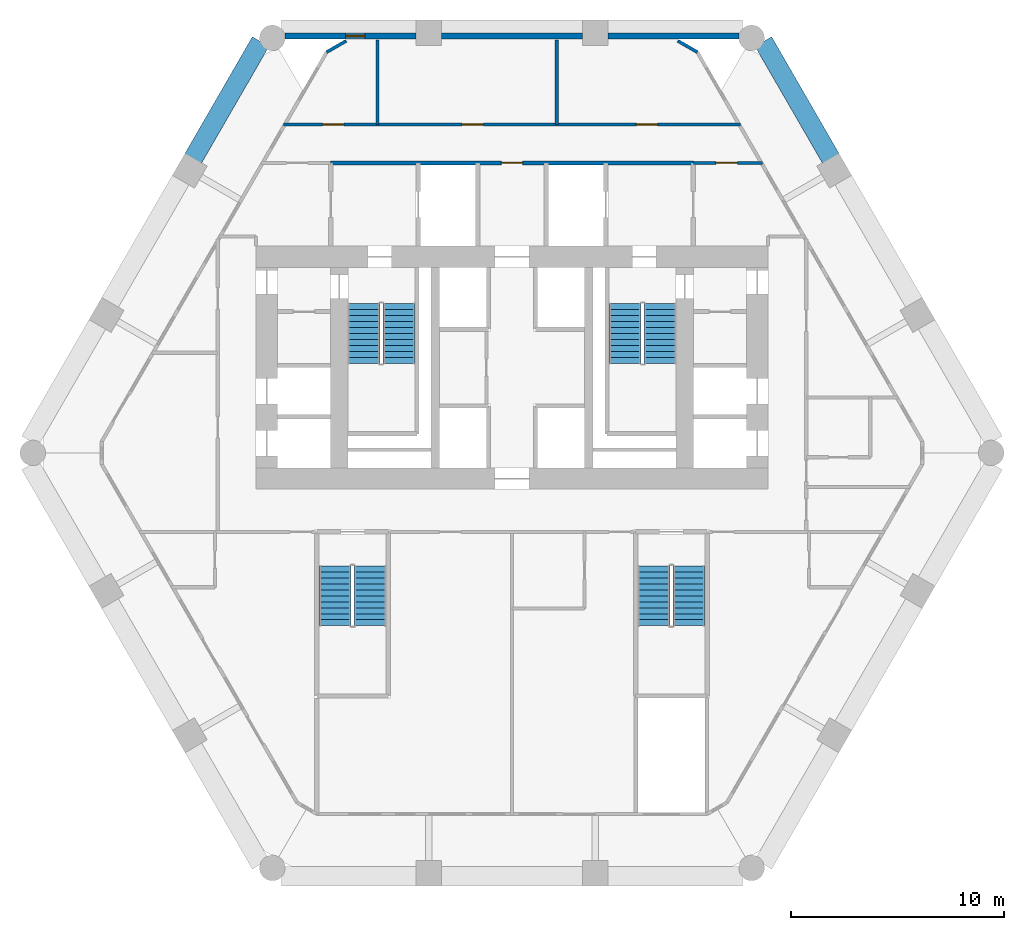
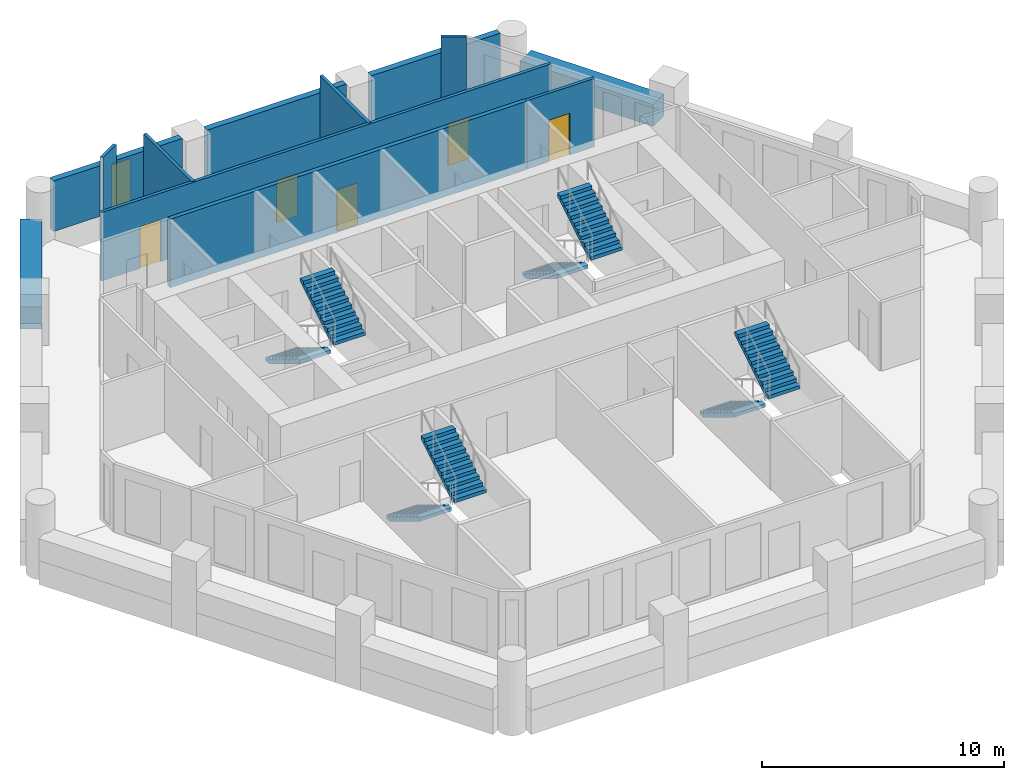
# One storey, part 6 of 7: 12 walls, 8 stair flights, 5 doors, 1 window, 6 openings, 4 elements without a shape of their own.
"""IFC4 building model written with IfcOpenShell, lengths in metres."""

from ifc_helpers import new_model, si_unit, direction, frame, frame_2d, origin, place, context, subcontext, project, spatial, polyline, rectangle, outline, extrude, material, layer, layer_set, type_object, element, fill, aggregate, save


model = new_model("IFC4")

# Units and contexts
model_context = context("Model", 3, precision=1e-05, world=origin(), true_north=direction((0.0, 1.0)))
body_context = subcontext(model_context, "Body", "Model", "MODEL_VIEW")
ifc_project = project(units=[si_unit("LENGTHUNIT", "METRE"), si_unit("AREAUNIT", "SQUARE_METRE"), si_unit("VOLUMEUNIT", "CUBIC_METRE"), si_unit("PLANEANGLEUNIT", "RADIAN"), si_unit("MASSUNIT", "GRAM", prefix="KILO")], contexts=[model_context])

# Site, building, storey
site_placement = place(None, origin())
site = spatial("IfcSite", under=ifc_project, at=site_placement, CompositionType="ELEMENT")
building_placement = place(site_placement, origin())
building = spatial("IfcBuilding", under=site, at=building_placement, Name="Ostrander Bayou Hotel Tower", CompositionType="ELEMENT")
storey_placement = place(building_placement, frame((0.0, 0.0, 89.25)))
storey = spatial("IfcBuildingStorey", under=building, at=storey_placement, Name="L22", CompositionType="ELEMENT", Elevation=89.25)

# Walls
ifc_material_1 = material(Name="Aluminium framed insulated wall", Category="aluminium")
ifc_layer_1 = layer(ifc_material_1, 0.14990234375)
ifc_layer_set_1 = layer_set([ifc_layer_1], Name="GW1 glass-line wall 150 mm")
wall_type_1 = type_object("IfcWallType", Name="GW1 glass-line wall 150 mm", PredefinedType="SOLIDWALL", material=ifc_layer_set_1)
for number, where, z_axis, x_axis, name in (
    (1, (-7.77099609375, 19.324951171875, 0.0), (0.0, 0.0, 1.0), (-0.866105447774, -0.499861334108, 0.0), "GW1 L22 corner 1"),
    (2, (8.693603515625, 18.79248046875, 0.0), (0.0, 0.0, 1.0), (-0.866105447774, 0.499861334108, 0.0), "GW1 L22 corner 6"),
):
    element("IfcWall", number, at=place(storey_placement, frame(where, z_axis=z_axis, x_axis=x_axis)), inside=storey, type_object=wall_type_1, Name=name, PredefinedType="SOLIDWALL", context=body_context, shape_type="SweptSolid", body=[
        extrude(rectangle(XDim=1.065185546875, YDim=0.14990234375, at=frame_2d((0.53271484375, 0.0))), origin(), (0.0, 0.0, 1.0), 3.449951171875),
    ])
ifc_material_2 = material(Name="Reconstituted stone on masonry backing", Category="masonry")
ifc_layer_2 = layer(ifc_material_2, 0.300048828125)
ifc_layer_set_2 = layer_set([ifc_layer_2], Name="NW1 north stone wall 300 mm")
wall_type_2 = type_object("IfcWallType", Name="NW1 north stone wall 300 mm", PredefinedType="SOLIDWALL", material=ifc_layer_set_2)
wall_1_placement = place(storey_placement, frame((10.6435546875, 19.550048828125, 0.0), z_axis=(0.0, 0.0, 1.0), x_axis=(-1.0, 0.0, 0.0)))
element("IfcWall", 3, at=wall_1_placement, inside=storey, type_object=wall_type_2, Name="NW1 L22 N-1", PredefinedType="SOLIDWALL", context=body_context, shape_type="SweptSolid", body=[
    extrude(rectangle(XDim=6.136962890625, YDim=0.300048828125, at=frame_2d((3.068359375, 0.0))), origin(), (0.0, 0.0, 1.0), 2.550048828125),
])
wall_2_placement = place(storey_placement, frame((3.306640625, 19.550048828125, 0.0), z_axis=(0.0, 0.0, 1.0), x_axis=(-1.0, 0.0, 0.0)))
element("IfcWall", 4, at=wall_2_placement, inside=storey, type_object=wall_type_2, Name="NW1 L22 N-2", PredefinedType="SOLIDWALL", context=body_context, shape_type="SweptSolid", body=[
    extrude(rectangle(XDim=6.61328125, YDim=0.300048828125, at=frame_2d((3.306640625, 0.0))), origin(), (0.0, 0.0, 1.0), 2.550048828125),
])

# Wall, opening, window
wall_3_placement = place(storey_placement, frame((-4.506591796875, 19.550048828125, 0.0), z_axis=(0.0, 0.0, 1.0), x_axis=(-1.0, 0.0, 0.0)))
wall_3 = element("IfcWall", 5, at=wall_3_placement, inside=storey, type_object=wall_type_2, Name="NW1 L22 N-3", PredefinedType="SOLIDWALL", context=body_context, shape_type="SweptSolid", body=[
    extrude(rectangle(XDim=6.136962890625, YDim=0.300048828125, at=frame_2d((3.068359375, 0.0))), origin(), (0.0, 0.0, 1.0), 2.550048828125),
])
opening_1_placement = place(wall_3_placement, frame((2.393310546875, 0.0, 0.14990234375)))
opening_1 = element("IfcOpeningElement", 6, at=opening_1_placement, cuts=wall_3, Name="Opening W16", PredefinedType="OPENING", context=body_context, shape_type="SweptSolid", body=[
    extrude(rectangle(XDim=0.89990234375, YDim=2.14990234375, at=frame_2d((0.449951171875, 1.074951171875))), frame((0.0, 0.14990234375, 0.0), z_axis=(0.0, -1.0, 0.0), x_axis=(1.0, 0.0, 0.0)), (0.0, 0.0, 1.0), 0.300048828125),
])
ifc_material_3 = material(Name="Aluminium and clear glass", Category="aluminium")
window_type = type_object("IfcWindowType", Name="W16 window 900 mm, zone 2", PartitioningType="SINGLE_PANEL", PredefinedType="WINDOW", material=ifc_material_3)
window_placement = place(opening_1_placement, origin())
window = element("IfcWindow", 7, at=window_placement, inside=storey, type_object=window_type, Name="W16 L22 north N-3", OverallHeight=2.14990234375, OverallWidth=0.89990234375, PartitioningType="SINGLE_PANEL", PredefinedType="WINDOW", context=body_context, shape_type="SweptSolid", body=[
    extrude(rectangle(XDim=0.89990234375, YDim=2.14990234375, at=frame_2d((0.449951171875, 1.074951171875))), frame((0.0, 0.030029296875, 0.0), z_axis=(0.0, -1.0, 0.0), x_axis=(1.0, 0.0, 0.0)), (0.0, 0.0, 1.0), 0.06005859375),
])
fill(opening_1, window)

# Walls
ifc_material_4 = material(Name="Concrete f'c 40 MPa", Category="concrete")
ifc_layer_3 = layer(ifc_material_4, 0.89990234375)
ifc_layer_set_3 = layer_set([ifc_layer_3], Name="PA1 stone-faced parapet 900 mm")
wall_type_3 = type_object("IfcWallType", Name="PA1 stone-faced parapet 900 mm", PredefinedType="PARAPET", material=ifc_layer_set_3)
for number, where, z_axis, x_axis, name in (
    (8, (-11.785888671875, 19.286376953125, 0.0), (0.0, 0.0, 1.0), (-0.499982754166, -0.866035360443, 0.0), "PA1 L22 NW-1"),
    (9, (14.9521484375, 13.802001953125, 0.0), (0.0, 0.0, 1.0), (-0.499982754166, 0.866035360443, 0.0), "PA1 L22 NE-3"),
):
    element("IfcWall", number, at=place(storey_placement, frame(where, z_axis=z_axis, x_axis=x_axis)), inside=storey, type_object=wall_type_3, Name=name, PredefinedType="PARAPET", context=body_context, shape_type="SweptSolid", body=[
        extrude(rectangle(XDim=6.332763671875, YDim=0.89990234375, at=frame_2d((3.16650390625, 0.0))), origin(), (0.0, 0.0, 1.0), 1.10009765625),
    ])

# Wall, opening, door
ifc_material_5 = material(Name="Masonry block", Category="masonry")
ifc_layer_4 = layer(ifc_material_5, 0.199951171875)
ifc_layer_set_4 = layer_set([ifc_layer_4], Name="PT5 stair enclosure wall 200 mm masonry, 2 hour")
wall_type_4 = type_object("IfcWallType", Name="PT5 stair enclosure wall 200 mm masonry, 2 hour", PredefinedType="PARTITIONING", material=ifc_layer_set_4)
wall_4_placement = place(storey_placement, frame((-8.5, 13.60009765625, 0.0), z_axis=(0.0, 0.0, 1.0), x_axis=(1.0, 0.0, 0.0)))
wall_4 = element("IfcWall", 10, at=wall_4_placement, inside=storey, type_object=wall_type_4, Name="cs:L22:025", PredefinedType="PARTITIONING", context=body_context, shape_type="SweptSolid", body=[
    extrude(rectangle(XDim=17.0, YDim=0.199951171875, at=frame_2d((8.5, 0.0))), origin(), (0.0, 0.0, 1.0), 3.449951171875),
])
opening_2_placement = place(wall_4_placement, frame((8.0, 0.0, 0.0)))
opening_2 = element("IfcOpeningElement", 11, at=opening_2_placement, cuts=wall_4, Name="Opening T21-013", PredefinedType="OPENING", context=body_context, shape_type="SweptSolid", body=[
    extrude(rectangle(XDim=1.0, YDim=2.10009765625, at=frame_2d((0.5, 1.050048828125))), frame((0.0, 0.10009765625, 0.0), z_axis=(0.0, -1.0, 0.0), x_axis=(1.0, 0.0, 0.0)), (0.0, 0.0, 1.0), 0.199951171875),
])
ifc_material_6 = material(Name="Timber door leaf", Category="wood")
door_type_1 = type_object("IfcDoorType", Name="D9 service door 1000 x 2100 mm, 30 minute", OperationType="SINGLE_SWING_LEFT", PredefinedType="DOOR", material=ifc_material_6)
door_1_placement = place(opening_2_placement, origin())
door_1 = element("IfcDoor", 12, at=door_1_placement, inside=storey, type_object=door_type_1, Name="dr:L22:013", OperationType="SINGLE_SWING_LEFT", OverallHeight=2.10009765625, OverallWidth=1.0, PredefinedType="DOOR", context=body_context, shape_type="SweptSolid", body=[
    extrude(rectangle(XDim=1.0, YDim=2.10009765625, at=frame_2d((0.5, 1.050048828125))), frame((0.0, 0.02490234375, 0.0), z_axis=(0.0, -1.0, 0.0), x_axis=(1.0, 0.0, 0.0)), (0.0, 0.0, 1.0), 0.050048828125),
])
fill(opening_2, door_1)

ifc_material_7 = material(Name="Gypsum board partition", Category="finish")
ifc_layer_5 = layer(ifc_material_7, 0.14990234375)
ifc_layer_set_5 = layer_set([ifc_layer_5], Name="PT8 service band wall 150 mm, 1 hour")
wall_type_5 = type_object("IfcWallType", Name="PT8 service band wall 150 mm, 1 hour", PredefinedType="PARTITIONING", material=ifc_layer_set_5)
wall_5_placement = place(storey_placement, frame((8.510009765625, 13.60009765625, 0.0), z_axis=(0.0, 0.0, 1.0), x_axis=(1.0, 0.0, 0.0)))
wall_5 = element("IfcWall", 13, at=wall_5_placement, inside=storey, type_object=wall_type_5, Name="gw:L22:014", PredefinedType="PARTITIONING", context=body_context, shape_type="SweptSolid", body=[
    extrude(rectangle(XDim=3.23291015625, YDim=0.14990234375, at=frame_2d((1.616455078125, 0.0))), origin(), (0.0, 0.0, 1.0), 3.449951171875),
])
opening_3_placement = place(wall_5_placement, frame((1.054931640625, 0.0, 0.0)))
opening_3 = element("IfcOpeningElement", 14, at=opening_3_placement, cuts=wall_5, Name="Opening T21-417", PredefinedType="OPENING", context=body_context, shape_type="SweptSolid", body=[
    extrude(rectangle(XDim=1.0, YDim=2.10009765625, at=frame_2d((0.5, 1.050048828125))), frame((0.0, 0.074951171875, 0.0), z_axis=(0.0, -1.0, 0.0), x_axis=(1.0, 0.0, 0.0)), (0.0, 0.0, 1.0), 0.14990234375),
])
door_2_placement = place(opening_3_placement, origin())
door_2 = element("IfcDoor", 15, at=door_2_placement, inside=storey, type_object=door_type_1, Name="dr:L22:417", OperationType="SINGLE_SWING_LEFT", OverallHeight=2.10009765625, OverallWidth=1.0, PredefinedType="DOOR", context=body_context, shape_type="SweptSolid", body=[
    extrude(rectangle(XDim=1.0, YDim=2.10009765625, at=frame_2d((0.5, 1.050048828125))), frame((0.0, 0.02490234375, 0.0), z_axis=(0.0, -1.0, 0.0), x_axis=(1.0, 0.0, 0.0)), (0.0, 0.0, 1.0), 0.050048828125),
])
fill(opening_3, door_2)

# Wall, openings, doors
wall_6_placement = place(storey_placement, frame((-10.7041015625, 15.39990234375, 0.0), z_axis=(0.0, 0.0, 1.0), x_axis=(1.0, 0.0, 0.0)))
wall_6 = element("IfcWall", 16, at=wall_6_placement, inside=storey, type_object=wall_type_5, Name="gw:L22:015", PredefinedType="PARTITIONING", context=body_context, shape_type="SweptSolid", body=[
    extrude(rectangle(XDim=21.408203125, YDim=0.14990234375, at=frame_2d((10.7041015625, 0.0))), origin(), (0.0, 0.0, 1.0), 3.449951171875),
])
opening_4_placement = place(wall_6_placement, frame((1.824951171875, 0.0, 0.0)))
opening_4 = element("IfcOpeningElement", 17, at=opening_4_placement, cuts=wall_6, Name="Opening T21-413", PredefinedType="OPENING", context=body_context, shape_type="SweptSolid", body=[
    extrude(rectangle(XDim=1.0, YDim=2.10009765625, at=frame_2d((0.5, 1.050048828125))), frame((0.0, 0.074951171875, 0.0), z_axis=(0.0, -1.0, 0.0), x_axis=(1.0, 0.0, 0.0)), (0.0, 0.0, 1.0), 0.14990234375),
])
opening_5_placement = place(wall_6_placement, frame((8.362060546875, 0.0, 0.0)))
opening_5 = element("IfcOpeningElement", 18, at=opening_5_placement, cuts=wall_6, Name="Opening T21-414", PredefinedType="OPENING", context=body_context, shape_type="SweptSolid", body=[
    extrude(rectangle(XDim=1.0, YDim=2.10009765625, at=frame_2d((0.5, 1.050048828125))), frame((0.0, 0.074951171875, 0.0), z_axis=(0.0, -1.0, 0.0), x_axis=(1.0, 0.0, 0.0)), (0.0, 0.0, 1.0), 0.14990234375),
])
opening_6_placement = place(wall_6_placement, frame((16.535888671875, 0.0, 0.0)))
opening_6 = element("IfcOpeningElement", 19, at=opening_6_placement, cuts=wall_6, Name="Opening T21-415", PredefinedType="OPENING", context=body_context, shape_type="SweptSolid", body=[
    extrude(rectangle(XDim=1.0, YDim=2.10009765625, at=frame_2d((0.5, 1.050048828125))), frame((0.0, 0.074951171875, 0.0), z_axis=(0.0, -1.0, 0.0), x_axis=(1.0, 0.0, 0.0)), (0.0, 0.0, 1.0), 0.14990234375),
])
ifc_material_8 = material(Name="Timber door leaf", Category="wood")
door_type_2 = type_object("IfcDoorType", Name="D15 room door 1000 x 2100 mm", OperationType="SINGLE_SWING_LEFT", PredefinedType="DOOR", material=ifc_material_8)
door_3_placement = place(opening_4_placement, origin())
door_3 = element("IfcDoor", 20, at=door_3_placement, inside=storey, type_object=door_type_2, Name="dr:L22:413", OperationType="SINGLE_SWING_LEFT", OverallHeight=2.10009765625, OverallWidth=1.0, PredefinedType="DOOR", context=body_context, shape_type="SweptSolid", body=[
    extrude(rectangle(XDim=1.0, YDim=2.10009765625, at=frame_2d((0.5, 1.050048828125))), frame((0.0, 0.02490234375, 0.0), z_axis=(0.0, -1.0, 0.0), x_axis=(1.0, 0.0, 0.0)), (0.0, 0.0, 1.0), 0.050048828125),
])
fill(opening_4, door_3)
door_4_placement = place(opening_5_placement, origin())
door_4 = element("IfcDoor", 21, at=door_4_placement, inside=storey, type_object=door_type_2, Name="dr:L22:414", OperationType="SINGLE_SWING_RIGHT", OverallHeight=2.10009765625, OverallWidth=1.0, PredefinedType="DOOR", context=body_context, shape_type="SweptSolid", body=[
    extrude(rectangle(XDim=1.0, YDim=2.10009765625, at=frame_2d((0.5, 1.050048828125))), frame((0.0, 0.02490234375, 0.0), z_axis=(0.0, -1.0, 0.0), x_axis=(1.0, 0.0, 0.0)), (0.0, 0.0, 1.0), 0.050048828125),
])
fill(opening_5, door_4)
door_5_placement = place(opening_6_placement, origin())
door_5 = element("IfcDoor", 22, at=door_5_placement, inside=storey, type_object=door_type_1, Name="dr:L22:415", OperationType="SINGLE_SWING_LEFT", OverallHeight=2.10009765625, OverallWidth=1.0, PredefinedType="DOOR", context=body_context, shape_type="SweptSolid", body=[
    extrude(rectangle(XDim=1.0, YDim=2.10009765625, at=frame_2d((0.5, 1.050048828125))), frame((0.0, 0.02490234375, 0.0), z_axis=(0.0, -1.0, 0.0), x_axis=(1.0, 0.0, 0.0)), (0.0, 0.0, 1.0), 0.050048828125),
])
fill(opening_6, door_5)

# Walls
for number, where, z_axis, x_axis, name in (
    (23, (2.10009765625, 15.39990234375, 0.0), (0.0, 0.0, 1.0), (0.0, 1.0, 0.0), "gw:L22:023"),
    (24, (-6.300048828125, 15.39990234375, 0.0), (0.0, 0.0, 1.0), (0.0, 1.0, 0.0), "gw:L22:025"),
):
    element("IfcWall", number, at=place(storey_placement, frame(where, z_axis=z_axis, x_axis=x_axis)), inside=storey, type_object=wall_type_5, Name=name, PredefinedType="PARTITIONING", context=body_context, shape_type="SweptSolid", body=[
        extrude(rectangle(XDim=3.97021484375, YDim=0.14990234375, at=frame_2d((1.985107421875, 0.0))), origin(), (0.0, 0.0, 1.0), 3.449951171875),
    ])

# Stair, stair flights
ifc_material_9 = material(Name="Concrete f'c 45 MPa", Category="concrete")
stair_type = type_object("IfcStairType", Name="ST1 exit stair 1500 mm f'c 45 MPa", PredefinedType="HALF_TURN_STAIR", material=ifc_material_9)
stair_1_placement = place(storey_placement, origin())
stair_1 = element("IfcStair", 25, at=stair_1_placement, inside=storey, type_object=stair_type, Name="L22 exit stair A", PredefinedType="HALF_TURN_STAIR")
ifc_material_10 = material(Name="Concrete f'c 45 MPa", Category="concrete")
stair_flight_type = type_object("IfcStairFlightType", Name="SF1 stair flight 1500 mm f'c 45 MPa", PredefinedType="STRAIGHT", material=ifc_material_10)
stair_flight_1_placement = place(storey_placement, frame((-6.949951171875, 7.0, 0.0), z_axis=(0.0, 0.0, 1.0), x_axis=(0.0, -1.0, 0.0)))
stair_flight_1 = element("IfcStairFlight", 26, at=stair_flight_1_placement, type_object=stair_flight_type, Name="STA flight 1", NumberOfRisers=11, NumberOfTreads=10, PredefinedType="STRAIGHT", RiserHeight=0.170454545, TreadLength=0.28, context=body_context, shape_type="SweptSolid", body=[
    extrude(outline(polyline([(0.0, 0.0), (0.0, 0.17041015625), (0.280029296875, 0.17041015625), (0.280029296875, 0.3408203125), (0.56005859375, 0.3408203125), (0.56005859375, 0.511474609375), (0.840087890625, 0.511474609375), (0.840087890625, 0.681884765625), (1.1201171875, 0.681884765625), (1.1201171875, 0.852294921875), (1.39990234375, 0.852294921875), (1.39990234375, 1.022705078125), (1.679931640625, 1.022705078125), (1.679931640625, 1.193115234375), (1.9599609375, 1.193115234375), (1.9599609375, 1.363525390625), (2.239990234375, 1.363525390625), (2.239990234375, 1.5341796875), (2.52001953125, 1.5341796875), (2.52001953125, 1.70458984375), (2.800048828125, 1.70458984375), (2.800048828125, 1.875), (2.800048828125, 1.529052734375), (0.288330078125, 0.0), (0.0, 0.0)])), frame((0.0, 0.75, 0.0), z_axis=(0.0, -1.0, 0.0), x_axis=(1.0, 0.0, 0.0)), (0.0, 0.0, 1.0), 1.5),
])
stair_flight_2_placement = place(storey_placement, frame((-5.300048828125, 4.199951171875, 1.875), z_axis=(0.0, 0.0, 1.0), x_axis=(0.0, 1.0, 0.0)))
stair_flight_2 = element("IfcStairFlight", 27, at=stair_flight_2_placement, type_object=stair_flight_type, Name="STA flight 2", NumberOfRisers=11, NumberOfTreads=10, PredefinedType="STRAIGHT", RiserHeight=0.170454545, TreadLength=0.28, context=body_context, shape_type="SweptSolid", body=[
    extrude(outline(polyline([(0.0, 0.0), (0.0, 0.17041015625), (0.280029296875, 0.17041015625), (0.280029296875, 0.3408203125), (0.56005859375, 0.3408203125), (0.56005859375, 0.511474609375), (0.840087890625, 0.511474609375), (0.840087890625, 0.681884765625), (1.1201171875, 0.681884765625), (1.1201171875, 0.852294921875), (1.39990234375, 0.852294921875), (1.39990234375, 1.022705078125), (1.679931640625, 1.022705078125), (1.679931640625, 1.193115234375), (1.9599609375, 1.193115234375), (1.9599609375, 1.363525390625), (2.239990234375, 1.363525390625), (2.239990234375, 1.5341796875), (2.52001953125, 1.5341796875), (2.52001953125, 1.70458984375), (2.800048828125, 1.70458984375), (2.800048828125, 1.875), (2.800048828125, 1.529052734375), (0.288330078125, 0.0), (0.0, 0.0)])), frame((0.0, 0.75, 0.0), z_axis=(0.0, -1.0, 0.0), x_axis=(1.0, 0.0, 0.0)), (0.0, 0.0, 1.0), 1.5),
])
aggregate(stair_1, [stair_flight_1, stair_flight_2])

stair_2_placement = place(storey_placement, origin())
stair_2 = element("IfcStair", 28, at=stair_2_placement, inside=storey, type_object=stair_type, Name="L22 exit stair B", PredefinedType="HALF_TURN_STAIR")
stair_flight_3_placement = place(storey_placement, frame((5.300048828125, 7.0, 0.0), z_axis=(0.0, 0.0, 1.0), x_axis=(0.0, -1.0, 0.0)))
stair_flight_3 = element("IfcStairFlight", 29, at=stair_flight_3_placement, type_object=stair_flight_type, Name="STB flight 1", NumberOfRisers=11, NumberOfTreads=10, PredefinedType="STRAIGHT", RiserHeight=0.170454545, TreadLength=0.28, context=body_context, shape_type="SweptSolid", body=[
    extrude(outline(polyline([(0.0, 0.0), (0.0, 0.17041015625), (0.280029296875, 0.17041015625), (0.280029296875, 0.3408203125), (0.56005859375, 0.3408203125), (0.56005859375, 0.511474609375), (0.840087890625, 0.511474609375), (0.840087890625, 0.681884765625), (1.1201171875, 0.681884765625), (1.1201171875, 0.852294921875), (1.39990234375, 0.852294921875), (1.39990234375, 1.022705078125), (1.679931640625, 1.022705078125), (1.679931640625, 1.193115234375), (1.9599609375, 1.193115234375), (1.9599609375, 1.363525390625), (2.239990234375, 1.363525390625), (2.239990234375, 1.5341796875), (2.52001953125, 1.5341796875), (2.52001953125, 1.70458984375), (2.800048828125, 1.70458984375), (2.800048828125, 1.875), (2.800048828125, 1.529052734375), (0.288330078125, 0.0), (0.0, 0.0)])), frame((0.0, 0.75, 0.0), z_axis=(0.0, -1.0, 0.0), x_axis=(1.0, 0.0, 0.0)), (0.0, 0.0, 1.0), 1.5),
])
stair_flight_4_placement = place(storey_placement, frame((6.949951171875, 4.199951171875, 1.875), z_axis=(0.0, 0.0, 1.0), x_axis=(0.0, 1.0, 0.0)))
stair_flight_4 = element("IfcStairFlight", 30, at=stair_flight_4_placement, type_object=stair_flight_type, Name="STB flight 2", NumberOfRisers=11, NumberOfTreads=10, PredefinedType="STRAIGHT", RiserHeight=0.170454545, TreadLength=0.28, context=body_context, shape_type="SweptSolid", body=[
    extrude(outline(polyline([(0.0, 0.0), (0.0, 0.17041015625), (0.280029296875, 0.17041015625), (0.280029296875, 0.3408203125), (0.56005859375, 0.3408203125), (0.56005859375, 0.511474609375), (0.840087890625, 0.511474609375), (0.840087890625, 0.681884765625), (1.1201171875, 0.681884765625), (1.1201171875, 0.852294921875), (1.39990234375, 0.852294921875), (1.39990234375, 1.022705078125), (1.679931640625, 1.022705078125), (1.679931640625, 1.193115234375), (1.9599609375, 1.193115234375), (1.9599609375, 1.363525390625), (2.239990234375, 1.363525390625), (2.239990234375, 1.5341796875), (2.52001953125, 1.5341796875), (2.52001953125, 1.70458984375), (2.800048828125, 1.70458984375), (2.800048828125, 1.875), (2.800048828125, 1.529052734375), (0.288330078125, 0.0), (0.0, 0.0)])), frame((0.0, 0.75, 0.0), z_axis=(0.0, -1.0, 0.0), x_axis=(1.0, 0.0, 0.0)), (0.0, 0.0, 1.0), 1.5),
])
aggregate(stair_2, [stair_flight_3, stair_flight_4])

stair_3_placement = place(storey_placement, origin())
stair_3 = element("IfcStair", 31, at=stair_3_placement, inside=storey, type_object=stair_type, Name="L22 exit stair C", PredefinedType="HALF_TURN_STAIR")
stair_flight_5_placement = place(storey_placement, frame((6.64990234375, -5.300048828125, 0.0), z_axis=(0.0, 0.0, 1.0), x_axis=(0.0, -1.0, 0.0)))
stair_flight_5 = element("IfcStairFlight", 32, at=stair_flight_5_placement, type_object=stair_flight_type, Name="STC flight 1", NumberOfRisers=11, NumberOfTreads=10, PredefinedType="STRAIGHT", RiserHeight=0.170454545, TreadLength=0.28, context=body_context, shape_type="SweptSolid", body=[
    extrude(outline(polyline([(0.0, 0.0), (0.0, 0.17041015625), (0.280029296875, 0.17041015625), (0.280029296875, 0.3408203125), (0.56005859375, 0.3408203125), (0.56005859375, 0.511474609375), (0.840087890625, 0.511474609375), (0.840087890625, 0.681884765625), (1.1201171875, 0.681884765625), (1.1201171875, 0.852294921875), (1.39990234375, 0.852294921875), (1.39990234375, 1.022705078125), (1.679931640625, 1.022705078125), (1.679931640625, 1.193115234375), (1.9599609375, 1.193115234375), (1.9599609375, 1.363525390625), (2.239990234375, 1.363525390625), (2.239990234375, 1.5341796875), (2.52001953125, 1.5341796875), (2.52001953125, 1.70458984375), (2.800048828125, 1.70458984375), (2.800048828125, 1.875), (2.800048828125, 1.529052734375), (0.288330078125, 0.0), (0.0, 0.0)])), frame((0.0, 0.75, 0.0), z_axis=(0.0, -1.0, 0.0), x_axis=(1.0, 0.0, 0.0)), (0.0, 0.0, 1.0), 1.5),
])
stair_flight_6_placement = place(storey_placement, frame((8.300048828125, -8.10009765625, 1.875), z_axis=(0.0, 0.0, 1.0), x_axis=(0.0, 1.0, 0.0)))
stair_flight_6 = element("IfcStairFlight", 33, at=stair_flight_6_placement, type_object=stair_flight_type, Name="STC flight 2", NumberOfRisers=11, NumberOfTreads=10, PredefinedType="STRAIGHT", RiserHeight=0.170454545, TreadLength=0.28, context=body_context, shape_type="SweptSolid", body=[
    extrude(outline(polyline([(0.0, 0.0), (0.0, 0.17041015625), (0.280029296875, 0.17041015625), (0.280029296875, 0.3408203125), (0.56005859375, 0.3408203125), (0.56005859375, 0.511474609375), (0.840087890625, 0.511474609375), (0.840087890625, 0.681884765625), (1.1201171875, 0.681884765625), (1.1201171875, 0.852294921875), (1.39990234375, 0.852294921875), (1.39990234375, 1.022705078125), (1.679931640625, 1.022705078125), (1.679931640625, 1.193115234375), (1.9599609375, 1.193115234375), (1.9599609375, 1.363525390625), (2.239990234375, 1.363525390625), (2.239990234375, 1.5341796875), (2.52001953125, 1.5341796875), (2.52001953125, 1.70458984375), (2.800048828125, 1.70458984375), (2.800048828125, 1.875), (2.800048828125, 1.529052734375), (0.288330078125, 0.0), (0.0, 0.0)])), frame((0.0, 0.75, 0.0), z_axis=(0.0, -1.0, 0.0), x_axis=(1.0, 0.0, 0.0)), (0.0, 0.0, 1.0), 1.5),
])
aggregate(stair_3, [stair_flight_5, stair_flight_6])

stair_4_placement = place(storey_placement, origin())
stair_4 = element("IfcStair", 34, at=stair_4_placement, inside=storey, type_object=stair_type, Name="L22 exit stair D", PredefinedType="HALF_TURN_STAIR")
stair_flight_7_placement = place(storey_placement, frame((-8.300048828125, -5.300048828125, 0.0), z_axis=(0.0, 0.0, 1.0), x_axis=(0.0, -1.0, 0.0)))
stair_flight_7 = element("IfcStairFlight", 35, at=stair_flight_7_placement, type_object=stair_flight_type, Name="STD flight 1", NumberOfRisers=11, NumberOfTreads=10, PredefinedType="STRAIGHT", RiserHeight=0.170454545, TreadLength=0.28, context=body_context, shape_type="SweptSolid", body=[
    extrude(outline(polyline([(0.0, 0.0), (0.0, 0.17041015625), (0.280029296875, 0.17041015625), (0.280029296875, 0.3408203125), (0.56005859375, 0.3408203125), (0.56005859375, 0.511474609375), (0.840087890625, 0.511474609375), (0.840087890625, 0.681884765625), (1.1201171875, 0.681884765625), (1.1201171875, 0.852294921875), (1.39990234375, 0.852294921875), (1.39990234375, 1.022705078125), (1.679931640625, 1.022705078125), (1.679931640625, 1.193115234375), (1.9599609375, 1.193115234375), (1.9599609375, 1.363525390625), (2.239990234375, 1.363525390625), (2.239990234375, 1.5341796875), (2.52001953125, 1.5341796875), (2.52001953125, 1.70458984375), (2.800048828125, 1.70458984375), (2.800048828125, 1.875), (2.800048828125, 1.529052734375), (0.288330078125, 0.0), (0.0, 0.0)])), frame((0.0, 0.75, 0.0), z_axis=(0.0, -1.0, 0.0), x_axis=(1.0, 0.0, 0.0)), (0.0, 0.0, 1.0), 1.5),
])
stair_flight_8_placement = place(storey_placement, frame((-6.64990234375, -8.10009765625, 1.875), z_axis=(0.0, 0.0, 1.0), x_axis=(0.0, 1.0, 0.0)))
stair_flight_8 = element("IfcStairFlight", 36, at=stair_flight_8_placement, type_object=stair_flight_type, Name="STD flight 2", NumberOfRisers=11, NumberOfTreads=10, PredefinedType="STRAIGHT", RiserHeight=0.170454545, TreadLength=0.28, context=body_context, shape_type="SweptSolid", body=[
    extrude(outline(polyline([(0.0, 0.0), (0.0, 0.17041015625), (0.280029296875, 0.17041015625), (0.280029296875, 0.3408203125), (0.56005859375, 0.3408203125), (0.56005859375, 0.511474609375), (0.840087890625, 0.511474609375), (0.840087890625, 0.681884765625), (1.1201171875, 0.681884765625), (1.1201171875, 0.852294921875), (1.39990234375, 0.852294921875), (1.39990234375, 1.022705078125), (1.679931640625, 1.022705078125), (1.679931640625, 1.193115234375), (1.9599609375, 1.193115234375), (1.9599609375, 1.363525390625), (2.239990234375, 1.363525390625), (2.239990234375, 1.5341796875), (2.52001953125, 1.5341796875), (2.52001953125, 1.70458984375), (2.800048828125, 1.70458984375), (2.800048828125, 1.875), (2.800048828125, 1.529052734375), (0.288330078125, 0.0), (0.0, 0.0)])), frame((0.0, 0.75, 0.0), z_axis=(0.0, -1.0, 0.0), x_axis=(1.0, 0.0, 0.0)), (0.0, 0.0, 1.0), 1.5),
])
aggregate(stair_4, [stair_flight_7, stair_flight_8])

save(model, "model.ifc")
